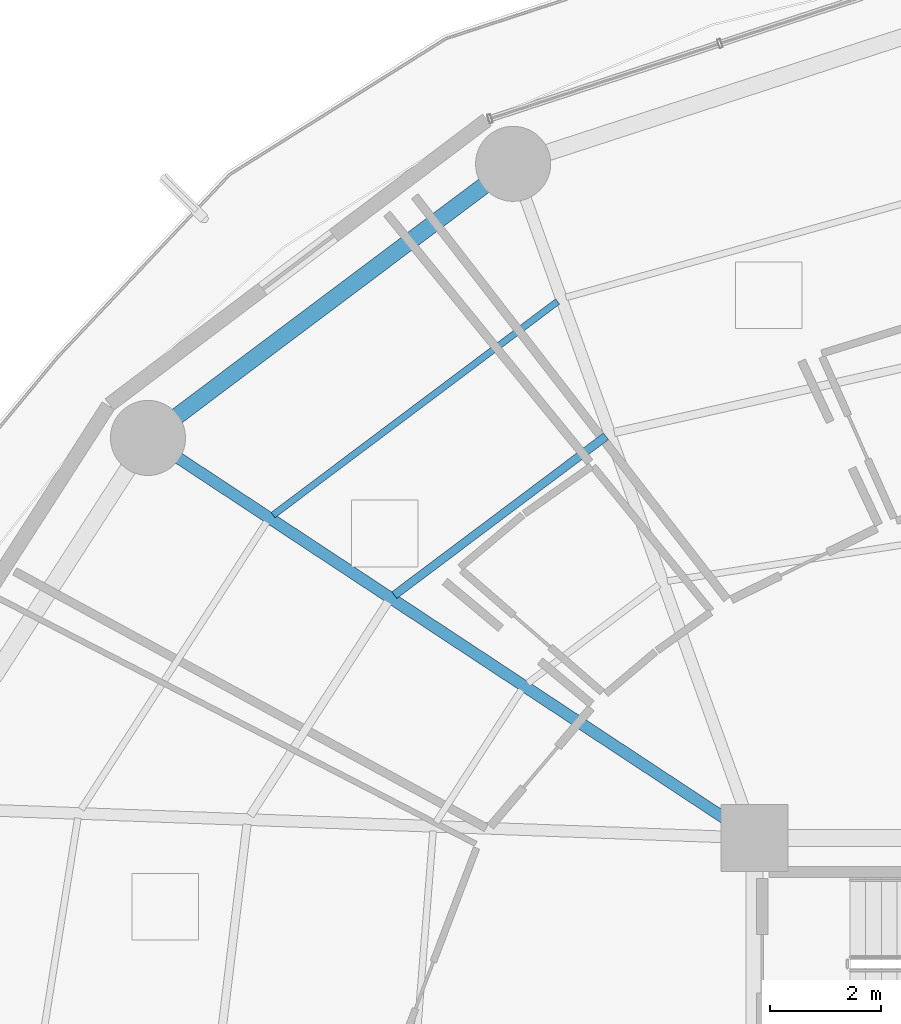
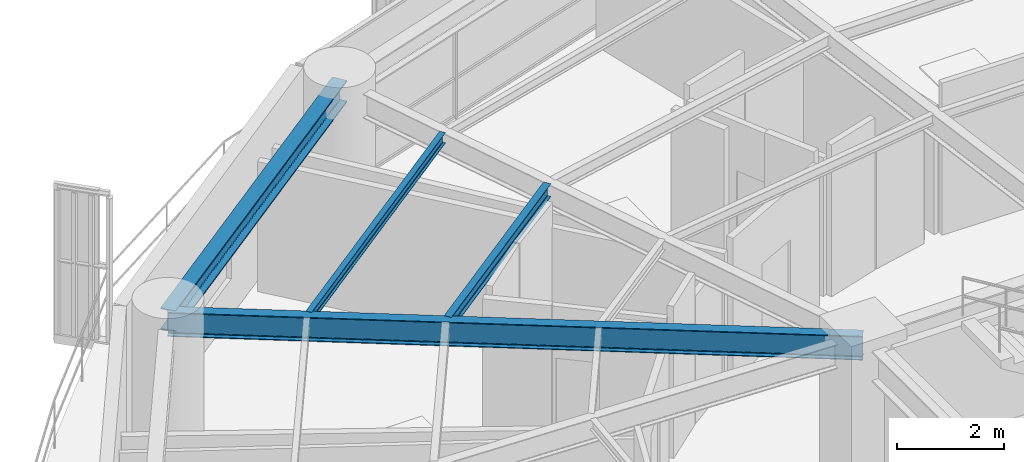
# One storey, part 19 of 38: 4 beams.
"""IFC4 building model written with IfcOpenShell, lengths in metres."""

from ifc_helpers import new_model, si_unit, direction, frame, origin, origin_2d, place, context, subcontext, project, spatial, i_section, extrude, material, material_profile, profile_set, type_object, element, save


model = new_model("IFC4")

# Units and contexts
model_context = context("Model", 3, precision=1e-05, world=origin(), true_north=direction((0.0, 1.0)))
body_context = subcontext(model_context, "Body", "Model", "MODEL_VIEW")
ifc_project = project(units=[si_unit("LENGTHUNIT", "METRE"), si_unit("AREAUNIT", "SQUARE_METRE"), si_unit("VOLUMEUNIT", "CUBIC_METRE"), si_unit("PLANEANGLEUNIT", "RADIAN"), si_unit("MASSUNIT", "GRAM", prefix="KILO")], contexts=[model_context])

# Site, building, storey
site_placement = place(None, origin())
site = spatial("IfcSite", under=ifc_project, at=site_placement, CompositionType="ELEMENT")
building_placement = place(site_placement, origin())
building = spatial("IfcBuilding", under=site, at=building_placement, Name="Kelanora Arch Commons", CompositionType="ELEMENT")
storey_placement = place(building_placement, frame((0.0, 0.0, 106.35009765625)))
storey = spatial("IfcBuildingStorey", under=building, at=storey_placement, Name="L27", CompositionType="ELEMENT", Elevation=106.35009765625)

# Beams
ifc_material = material(Name="Steel S355", Category="steel")
ifc_material_profile_1 = material_profile(ifc_material, i_section(OverallWidth=0.14990234375, OverallDepth=0.300048828125, WebThickness=0.007080078125, FlangeThickness=0.0107421875, FilletRadius=0.014892578125, at=origin_2d()), Name="IPE300")
ifc_profile_set_1 = profile_set([ifc_material_profile_1], Name="Steel S355")
beam_type_1 = type_object("IfcBeamType", Name="BM-JST-01", PredefinedType="JOIST", material=ifc_profile_set_1)
beam_1_placement = place(storey_placement, frame((63.327880859375, 72.22216796875, 3.33984375), z_axis=(-0.79971039107, -0.600385951214, 0.0), x_axis=(0.600385951214, -0.79971039107, 0.0)))
element("IfcBeam", 1, at=beam_1_placement, inside=storey, type_object=beam_type_1, Name="Secondary Chord Joist BJB-12 L27", PredefinedType="JOIST", context=body_context, shape_type="SweptSolid", body=[
    extrude(i_section(OverallWidth=0.14990234375, OverallDepth=0.300048828125, WebThickness=0.007080078125, FlangeThickness=0.0107421875, FilletRadius=0.014892578125, at=origin_2d()), origin(), (0.0, 0.0, 1.0), 4.756103515625),
])
ifc_material_profile_2 = material_profile(ifc_material, i_section(OverallWidth=0.1201171875, OverallDepth=0.239990234375, WebThickness=0.006103515625, FlangeThickness=0.009765625, FilletRadius=0.014892578125, at=origin_2d()), Name="IPE240")
ifc_profile_set_2 = profile_set([ifc_material_profile_2], Name="Steel S355")
beam_type_2 = type_object("IfcBeamType", Name="BM-JST-02", PredefinedType="JOIST", material=ifc_profile_set_2)
beam_2_placement = place(storey_placement, frame((62.4599609375, 74.646484375, 3.369873046875), z_axis=(-0.799734335646, -0.600354055861, 0.0), x_axis=(0.600354055861, -0.799734335646, 0.0)))
element("IfcBeam", 2, at=beam_2_placement, inside=storey, type_object=beam_type_2, Name="Secondary Chord Joist BJC-12 L27", PredefinedType="JOIST", context=body_context, shape_type="SweptSolid", body=[
    extrude(i_section(OverallWidth=0.1201171875, OverallDepth=0.239990234375, WebThickness=0.006103515625, FlangeThickness=0.009765625, FilletRadius=0.014892578125, at=origin_2d()), origin(), (0.0, 0.0, 1.0), 6.39794921875),
])
ifc_material_profile_3 = material_profile(ifc_material, i_section(OverallWidth=0.2099609375, OverallDepth=0.550048828125, WebThickness=0.010986328125, FlangeThickness=0.01708984375, FilletRadius=0.02392578125, at=origin_2d()), Name="IPE550")
ifc_profile_set_3 = profile_set([ifc_material_profile_3], Name="Steel S355")
beam_type_3 = type_object("IfcBeamType", Name="BM-RAD-Z2", PredefinedType="BEAM", material=ifc_profile_set_3)
beam_3_placement = place(storey_placement, frame((66.0, 65.0, 3.21484375), z_axis=(-0.834788577908, 0.550570640512, 0.0), x_axis=(-0.550570640512, -0.834788577908, 0.0)))
element("IfcBeam", 3, at=beam_3_placement, inside=storey, type_object=beam_type_3, Name="Radial Floor Girder BR-14 L27", PredefinedType="BEAM", context=body_context, shape_type="SweptSolid", body=[
    extrude(i_section(OverallWidth=0.2099609375, OverallDepth=0.550048828125, WebThickness=0.010986328125, FlangeThickness=0.01708984375, FilletRadius=0.02392578125, at=origin_2d()), origin(), (0.0, 0.0, 1.0), 13.064453125),
])
ifc_material_profile_4 = material_profile(ifc_material, i_section(OverallWidth=0.300048828125, OverallDepth=0.5, WebThickness=0.014404296875, FlangeThickness=0.028076171875, FilletRadius=0.027099609375, at=origin_2d()), Name="HEB500")
ifc_profile_set_4 = profile_set([ifc_material_profile_4], Name="Steel S355")
beam_type_4 = type_object("IfcBeamType", Name="BM-SPN-Z2", PredefinedType="SPANDREL", material=ifc_profile_set_4)
beam_4_placement = place(storey_placement, frame((61.659912109375, 77.121826171875, 3.239990234375), z_axis=(-0.799735861602, -0.600352023123, 0.0), x_axis=(0.600352023123, -0.799735861602, 0.0)))
element("IfcBeam", 4, at=beam_4_placement, inside=storey, type_object=beam_type_4, Name="Perimeter Spandrel Beam BS-12 L27", PredefinedType="SPANDREL", context=body_context, shape_type="SweptSolid", body=[
    extrude(i_section(OverallWidth=0.300048828125, OverallDepth=0.5, WebThickness=0.014404296875, FlangeThickness=0.028076171875, FilletRadius=0.027099609375, at=origin_2d()), origin(), (0.0, 0.0, 1.0), 8.210205078125),
])

save(model, "model.ifc")
